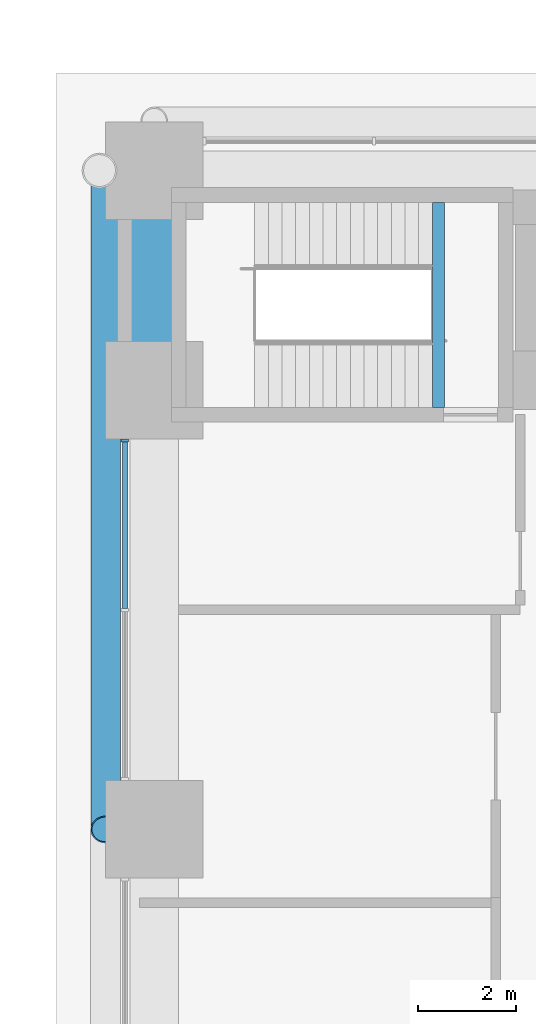
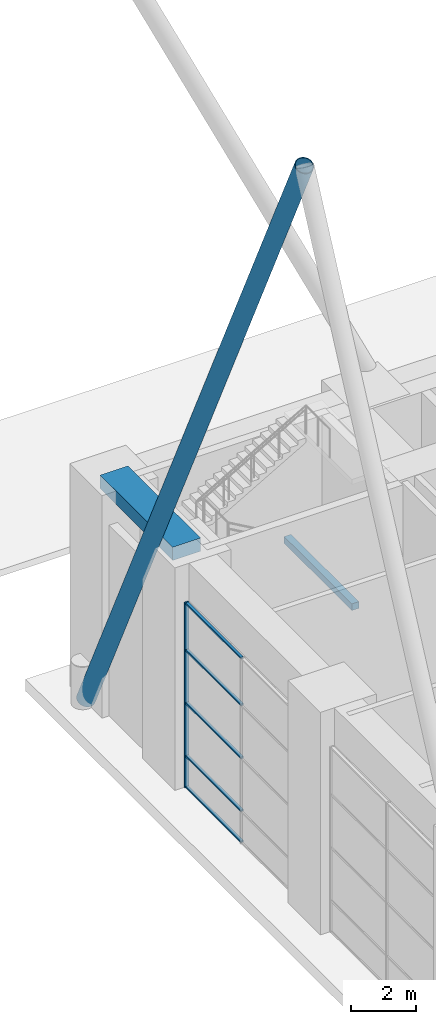
# One storey, part 16 of 44: 7 members, 2 beams, 1 element without a shape of its own.
"""IFC4 building model written with IfcOpenShell, lengths in metres."""

from ifc_helpers import new_model, si_unit, direction, frame, origin, origin_2d, place, context, subcontext, project, spatial, rectangle, hollow_circle, extrude, material, material_profile, profile_set, type_object, element, aggregate, save


model = new_model("IFC4")

# Units and contexts
model_context = context("Model", 3, precision=1e-05, world=origin(), true_north=direction((0.0, 1.0)))
body_context = subcontext(model_context, "Body", "Model", "MODEL_VIEW")
ifc_project = project(units=[si_unit("LENGTHUNIT", "METRE"), si_unit("AREAUNIT", "SQUARE_METRE"), si_unit("VOLUMEUNIT", "CUBIC_METRE"), si_unit("PLANEANGLEUNIT", "RADIAN"), si_unit("MASSUNIT", "GRAM", prefix="KILO")], contexts=[model_context])

# Site, building, storey
site_placement = place(None, origin())
site = spatial("IfcSite", under=ifc_project, at=site_placement, CompositionType="ELEMENT")
building_placement = place(site_placement, origin())
building = spatial("IfcBuilding", under=site, at=building_placement, Name="Firuza Court", CompositionType="ELEMENT")
storey_placement = place(building_placement, origin())
storey = spatial("IfcBuildingStorey", under=building, at=storey_placement, Name="L00", CompositionType="ELEMENT", Elevation=0.0)

# Member
ifc_material_1 = material(Name="Steel S355", Category="steel")
ifc_material_profile_1 = material_profile(ifc_material_1, hollow_circle(Radius=0.304931640625, WallThickness=0.02490234375, at=origin_2d()), Name="CHS 610x25")
ifc_profile_set_1 = profile_set([ifc_material_profile_1], Name="Steel S355")
member_type_1 = type_object("IfcMemberType", Name="Diagrid diagonal CHS 610x25 S355", PredefinedType="USERDEFINED", material=ifc_profile_set_1)
member_1_placement = place(storey_placement, frame((-0.9951171875, 58.5, 0.130859375), z_axis=(0.0, -0.430315969648, 0.902678329343), x_axis=(1.0, 0.0, 0.0)))
element("IfcMember", 1, at=member_1_placement, inside=storey, type_object=member_type_1, Name="Diagrid diagonal L00 to L05", ObjectType="DIAGRID", PredefinedType="USERDEFINED", context=body_context, shape_type="SweptSolid", body=[
    extrude(hollow_circle(Radius=0.304931640625, WallThickness=0.02490234375, at=origin_2d()), origin(), (0.0, 0.0, 1.0), 31.372314453125),
])

# Beam
ifc_material_2 = material(Name="Concrete C40/50", Category="concrete")
ifc_material_profile_2 = material_profile(ifc_material_2, rectangle(XDim=0.25, YDim=0.25, at=origin_2d()), Name="RC 250x250")
ifc_profile_set_2 = profile_set([ifc_material_profile_2], Name="Concrete C40/50")
beam_type_1 = type_object("IfcBeamType", Name="Landing beam RC 250x250 C40/50", PredefinedType="BEAM", material=ifc_profile_set_2)
beam_1_placement = place(storey_placement, frame((5.824951171875, 53.64990234375, 4.175048828125), z_axis=(0.0, 1.0, 0.0), x_axis=(-1.0, 0.0, 0.0)))
element("IfcBeam", 2, at=beam_1_placement, inside=storey, type_object=beam_type_1, Name="Landing beam S3 L00", PredefinedType="BEAM", context=body_context, shape_type="SweptSolid", body=[
    extrude(rectangle(XDim=0.25, YDim=0.25, at=origin_2d()), origin(), (0.0, 0.0, 1.0), 4.2001953125),
])

# Curtain wall, member
ifc_material_3 = material(Name="Aluminium curtain wall, triple clear glazing", Category="aluminium")
curtain_wall_type = type_object("IfcCurtainWallType", Name="Ground lobby stick shopfront CW2", PredefinedType="NOTDEFINED", material=ifc_material_3)
curtain_wall_placement = place(storey_placement, origin())
curtain_wall = element("IfcCurtainWall", 3, at=curtain_wall_placement, inside=storey, type_object=curtain_wall_type, Name="Ground lobby stick shopfront CW2 L00", PredefinedType="NOTDEFINED")
ifc_material_4 = material(Name="Aluminium EN AW-6060 T66", Category="aluminium")
ifc_material_profile_3 = material_profile(ifc_material_4, rectangle(XDim=0.14990234375, YDim=0.06005859375, at=origin_2d()), Name="Mullion 150 x 60 CW2")
ifc_profile_set_3 = profile_set([ifc_material_profile_3], Name="Aluminium EN AW-6060 T66")
member_type_2 = type_object("IfcMemberType", Name="Mullion 150 x 60 CW2", PredefinedType="MULLION", material=ifc_profile_set_3)
member_2_placement = place(storey_placement, frame((-0.60009765625, 52.969970703125, 0.0), z_axis=(0.0, 0.0, 1.0), x_axis=(1.0, 0.0, 0.0)))
member_2 = element("IfcMember", 4, at=member_2_placement, type_object=member_type_2, Name="CW2 mullion 1", PredefinedType="MULLION", context=body_context, shape_type="SweptSolid", body=[
    extrude(rectangle(XDim=0.14990234375, YDim=0.06005859375, at=origin_2d()), origin(), (0.0, 0.0, 1.0), 7.0),
])

# Beam
ifc_material_5 = material(Name="Concrete C40/50", Category="concrete")
ifc_material_profile_4 = material_profile(ifc_material_5, rectangle(XDim=1.0, YDim=0.5, at=origin_2d()), Name="RC 1000x500")
ifc_profile_set_4 = profile_set([ifc_material_profile_4], Name="Concrete C40/50")
beam_type_2 = type_object("IfcBeamType", Name="Spandrel beam RC 1000x500 C40/50", PredefinedType="BEAM", material=ifc_profile_set_4)
beam_2_placement = place(storey_placement, frame((0.0, 58.5, 8.14990234375), z_axis=(0.0, -1.0, 0.0), x_axis=(1.0, 0.0, 0.0)))
element("IfcBeam", 5, at=beam_2_placement, inside=storey, type_object=beam_type_2, Name="Spandrel beam SP7 level L01", PredefinedType="BEAM", context=body_context, shape_type="SweptSolid", body=[
    extrude(rectangle(XDim=1.0, YDim=0.5, at=origin_2d()), origin(), (0.0, 0.0, 1.0), 4.5),
])

# Member
ifc_material_6 = material(Name="Aluminium EN AW-6060 T66", Category="aluminium")
ifc_material_profile_5 = material_profile(ifc_material_6, rectangle(XDim=0.10009765625, YDim=0.06005859375, at=origin_2d()), Name="Transom 100 x 60 CW2")
ifc_profile_set_5 = profile_set([ifc_material_profile_5], Name="Aluminium EN AW-6060 T66")
member_type_3 = type_object("IfcMemberType", Name="Transom 100 x 60 CW2", PredefinedType="USERDEFINED", material=ifc_profile_set_5)
member_3_placement = place(storey_placement, frame((-0.60009765625, 52.93994140625, 0.030029296875), z_axis=(0.0, -1.0, 0.0), x_axis=(1.0, 0.0, 0.0)))
member_3 = element("IfcMember", 6, at=member_3_placement, type_object=member_type_3, Name="CW2 transom 1.1", ObjectType="TRANSOM", PredefinedType="USERDEFINED", context=body_context, shape_type="SweptSolid", body=[
    extrude(rectangle(XDim=0.10009765625, YDim=0.06005859375, at=origin_2d()), origin(), (0.0, 0.0, 1.0), 3.409912109375),
])

member_4_placement = place(storey_placement, frame((-0.60009765625, 52.93994140625, 1.199951171875), z_axis=(0.0, -1.0, 0.0), x_axis=(1.0, 0.0, 0.0)))
member_4 = element("IfcMember", 7, at=member_4_placement, type_object=member_type_3, Name="CW2 transom 1.2", ObjectType="TRANSOM", PredefinedType="USERDEFINED", context=body_context, shape_type="SweptSolid", body=[
    extrude(rectangle(XDim=0.10009765625, YDim=0.06005859375, at=origin_2d()), origin(), (0.0, 0.0, 1.0), 3.409912109375),
])

member_5_placement = place(storey_placement, frame((-0.60009765625, 52.93994140625, 3.199951171875), z_axis=(0.0, -1.0, 0.0), x_axis=(1.0, 0.0, 0.0)))
member_5 = element("IfcMember", 8, at=member_5_placement, type_object=member_type_3, Name="CW2 transom 1.3", ObjectType="TRANSOM", PredefinedType="USERDEFINED", context=body_context, shape_type="SweptSolid", body=[
    extrude(rectangle(XDim=0.10009765625, YDim=0.06005859375, at=origin_2d()), origin(), (0.0, 0.0, 1.0), 3.409912109375),
])

member_6_placement = place(storey_placement, frame((-0.60009765625, 52.93994140625, 5.199951171875), z_axis=(0.0, -1.0, 0.0), x_axis=(1.0, 0.0, 0.0)))
member_6 = element("IfcMember", 9, at=member_6_placement, type_object=member_type_3, Name="CW2 transom 1.4", ObjectType="TRANSOM", PredefinedType="USERDEFINED", context=body_context, shape_type="SweptSolid", body=[
    extrude(rectangle(XDim=0.10009765625, YDim=0.06005859375, at=origin_2d()), origin(), (0.0, 0.0, 1.0), 3.409912109375),
])

member_7_placement = place(storey_placement, frame((-0.60009765625, 52.93994140625, 6.969970703125), z_axis=(0.0, -1.0, 0.0), x_axis=(1.0, 0.0, 0.0)))
member_7 = element("IfcMember", 10, at=member_7_placement, type_object=member_type_3, Name="CW2 transom 1.5", ObjectType="TRANSOM", PredefinedType="USERDEFINED", context=body_context, shape_type="SweptSolid", body=[
    extrude(rectangle(XDim=0.10009765625, YDim=0.06005859375, at=origin_2d()), origin(), (0.0, 0.0, 1.0), 3.409912109375),
])

aggregate(curtain_wall, [member_2, member_3, member_4, member_5, member_6, member_7])

save(model, "model.ifc")
